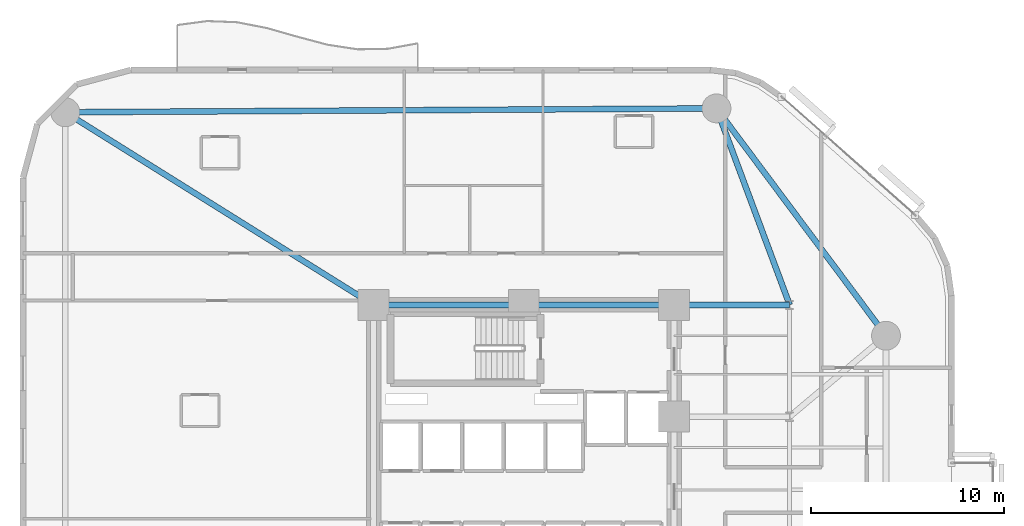
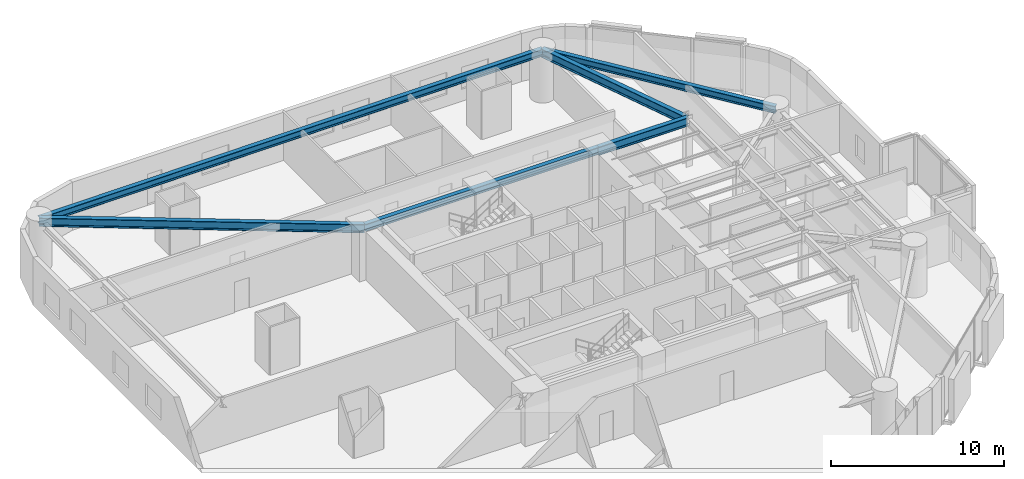
# One storey, part 7 of 16: 6 beams.
"""IFC4 building model written with IfcOpenShell, lengths in metres."""

from ifc_helpers import new_model, si_unit, direction, frame, origin, origin_2d, place, context, subcontext, project, spatial, i_section, extrude, material, material_profile, profile_set, type_object, element, save


model = new_model("IFC4")

# Units and contexts
model_context = context("Model", 3, precision=1e-05, world=origin(), true_north=direction((0.0, 1.0)))
body_context = subcontext(model_context, "Body", "Model", "MODEL_VIEW")
ifc_project = project(units=[si_unit("LENGTHUNIT", "METRE"), si_unit("AREAUNIT", "SQUARE_METRE"), si_unit("VOLUMEUNIT", "CUBIC_METRE"), si_unit("PLANEANGLEUNIT", "RADIAN"), si_unit("MASSUNIT", "GRAM", prefix="KILO")], contexts=[model_context])

# Site, building, storey
site_placement = place(None, origin())
site = spatial("IfcSite", under=ifc_project, at=site_placement, CompositionType="ELEMENT")
building_placement = place(site_placement, origin())
building = spatial("IfcBuilding", under=site, at=building_placement, Name="An Khanh Terracotta Commons", CompositionType="ELEMENT")
storey_placement = place(building_placement, frame((0.0, 0.0, 57.60009765625)))
storey = spatial("IfcBuildingStorey", under=building, at=storey_placement, Name="L15", CompositionType="ELEMENT", Elevation=57.60009765625)

# Beams
ifc_material = material(Name="Steel S355J2", Category="steel")
ifc_material_profile_1 = material_profile(ifc_material, i_section(OverallWidth=0.300048828125, OverallDepth=0.5, WebThickness=0.014404296875, FlangeThickness=0.028076171875, FilletRadius=0.027099609375, at=origin_2d()), Name="HEB500")
ifc_profile_set_1 = profile_set([ifc_material_profile_1], Name="Steel S355J2")
beam_type_1 = type_object("IfcBeamType", Name="BM-HEB500", PredefinedType="BEAM", material=ifc_profile_set_1)
beam_1_placement = place(storey_placement, frame((21.60009765625, 33.60009765625, 3.14990234375), z_axis=(1.0, 0.0, 0.0), x_axis=(0.0, 1.0, 0.0)))
element("IfcBeam", 1, at=beam_1_placement, inside=storey, type_object=beam_type_1, Name="L15 Core North Coupling Girder", PredefinedType="BEAM", context=body_context, shape_type="SweptSolid", body=[
    extrude(i_section(OverallWidth=0.300048828125, OverallDepth=0.5, WebThickness=0.014404296875, FlangeThickness=0.028076171875, FilletRadius=0.027099609375, at=origin_2d()), origin(), (0.0, 0.0, 1.0), 15.599853515625),
])
beam_2_placement = place(storey_placement, frame((48.199951171875, 32.0, 3.14990234375), z_axis=(-0.59782442166, 0.801627070942, 0.0), x_axis=(-0.801627070942, -0.59782442166, 0.0)))
element("IfcBeam", 2, at=beam_2_placement, inside=storey, type_object=beam_type_1, Name="L15 Perimeter Ring Spandrel 4", PredefinedType="BEAM", context=body_context, shape_type="SweptSolid", body=[
    extrude(i_section(OverallWidth=0.300048828125, OverallDepth=0.5, WebThickness=0.014404296875, FlangeThickness=0.028076171875, FilletRadius=0.027099609375, at=origin_2d()), origin(), (0.0, 0.0, 1.0), 14.72021484375),
])
beam_3_placement = place(storey_placement, frame((39.39990234375, 43.800048828125, 3.14990234375), z_axis=(-0.999982502414, -0.005915645817, 0.0), x_axis=(0.005915645817, -0.999982502414, 0.0)))
element("IfcBeam", 3, at=beam_3_placement, inside=storey, type_object=beam_type_1, Name="L15 Perimeter Ring Spandrel 5", PredefinedType="BEAM", context=body_context, shape_type="SweptSolid", body=[
    extrude(i_section(OverallWidth=0.300048828125, OverallDepth=0.5, WebThickness=0.014404296875, FlangeThickness=0.028076171875, FilletRadius=0.027099609375, at=origin_2d()), origin(), (0.0, 0.0, 1.0), 33.80029296875),
])
ifc_material_profile_2 = material_profile(ifc_material, i_section(OverallWidth=0.300048828125, OverallDepth=0.60009765625, WebThickness=0.015380859375, FlangeThickness=0.030029296875, FilletRadius=0.027099609375, at=origin_2d()), Name="HEB600")
ifc_profile_set_2 = profile_set([ifc_material_profile_2], Name="Steel S355J2")
beam_type_2 = type_object("IfcBeamType", Name="BM-HEB600", PredefinedType="BEAM", material=ifc_profile_set_2)
beam_4_placement = place(storey_placement, frame((37.199951171875, 33.60009765625, 3.099853515625), z_axis=(1.0, 0.0, 0.0), x_axis=(0.0, 1.0, 0.0)))
element("IfcBeam", 4, at=beam_4_placement, inside=storey, type_object=beam_type_2, Name="L15 East Primary Floor Girder 4", PredefinedType="BEAM", context=body_context, shape_type="SweptSolid", body=[
    extrude(i_section(OverallWidth=0.300048828125, OverallDepth=0.60009765625, WebThickness=0.015380859375, FlangeThickness=0.030029296875, FilletRadius=0.027099609375, at=origin_2d()), origin(), (0.0, 0.0, 1.0), 6.0),
])
beam_5_placement = place(storey_placement, frame((39.39990234375, 43.800048828125, 3.099853515625), z_axis=(0.349114429862, -0.937080100558, 0.0), x_axis=(0.937080100558, 0.349114429862, 0.0)))
element("IfcBeam", 5, at=beam_5_placement, inside=storey, type_object=beam_type_2, Name="L15 Mega-Column Tie Girder 5", PredefinedType="BEAM", context=body_context, shape_type="SweptSolid", body=[
    extrude(i_section(OverallWidth=0.300048828125, OverallDepth=0.60009765625, WebThickness=0.015380859375, FlangeThickness=0.030029296875, FilletRadius=0.027099609375, at=origin_2d()), origin(), (0.0, 0.0, 1.0), 10.884765625),
])
beam_6_placement = place(storey_placement, frame((5.60009765625, 43.60009765625, 3.099853515625), z_axis=(0.847998304005, -0.529998940003, 0.0), x_axis=(0.529998940003, 0.847998304005, 0.0)))
element("IfcBeam", 6, at=beam_6_placement, inside=storey, type_object=beam_type_2, Name="L15 Mega-Column Tie Girder 6", PredefinedType="BEAM", context=body_context, shape_type="SweptSolid", body=[
    extrude(i_section(OverallWidth=0.300048828125, OverallDepth=0.60009765625, WebThickness=0.015380859375, FlangeThickness=0.030029296875, FilletRadius=0.027099609375, at=origin_2d()), origin(), (0.0, 0.0, 1.0), 18.867919921875),
])

save(model, "model.ifc")
